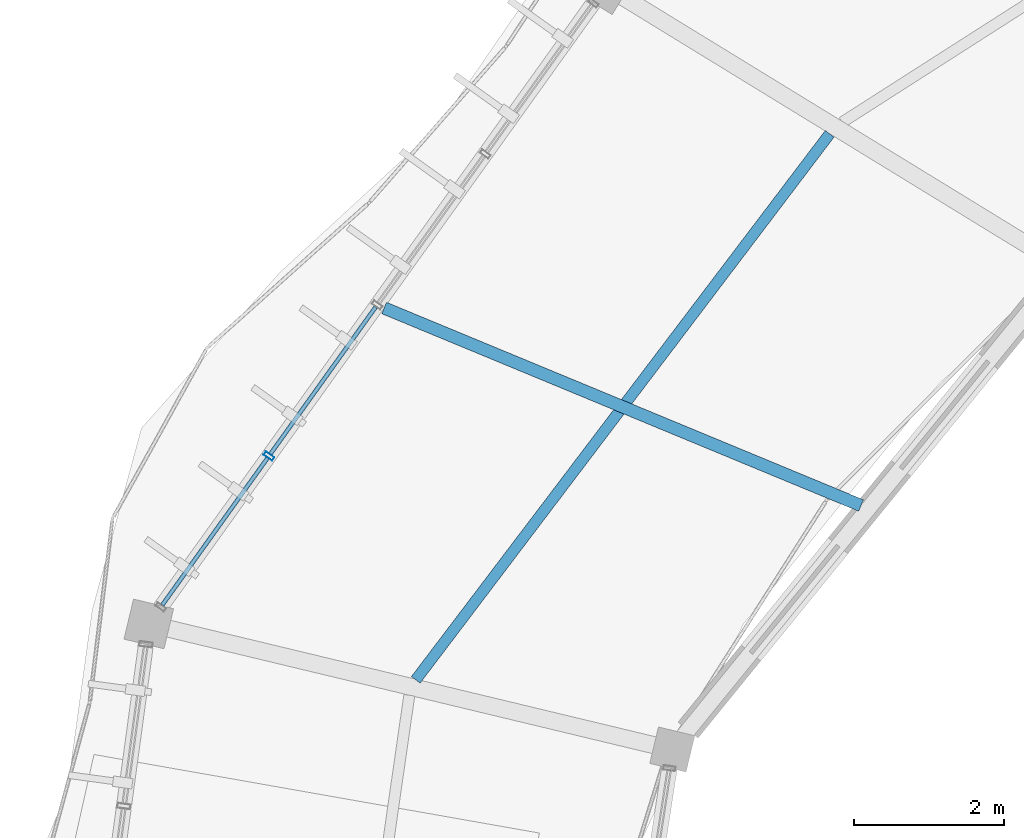
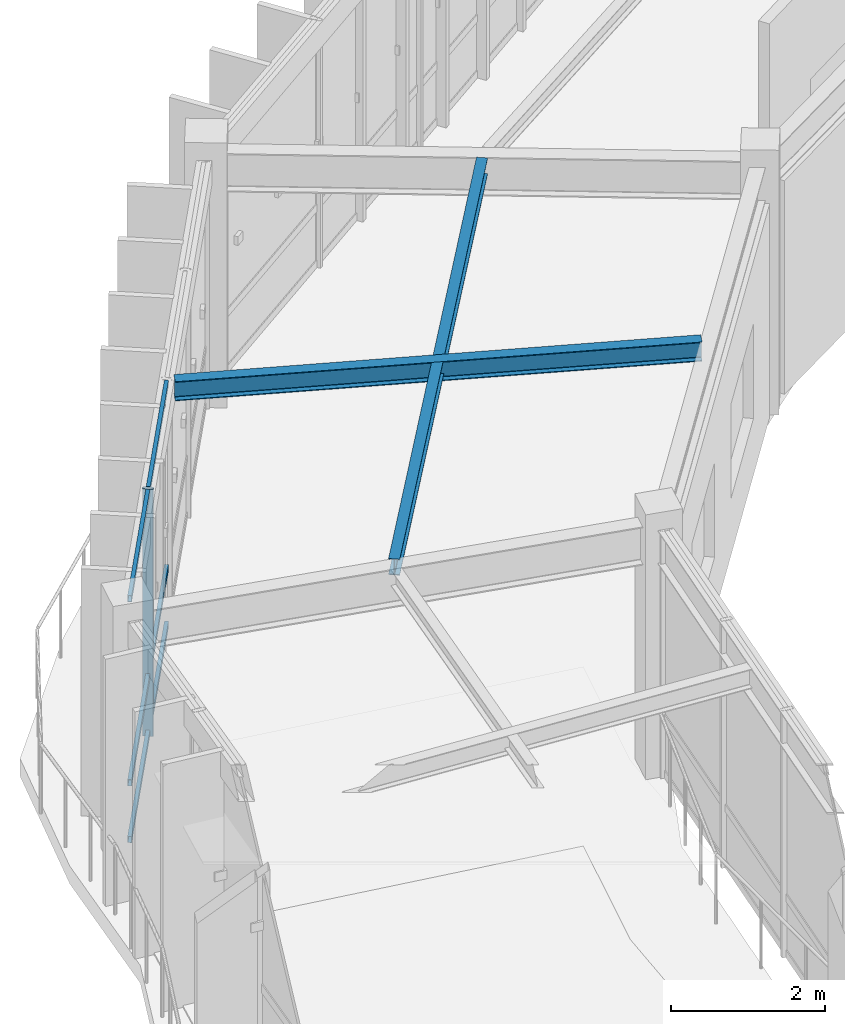
# One storey, part 23 of 79: 7 members, 2 beams, 1 element without a shape of its own.
"""IFC4 building model written with IfcOpenShell, lengths in metres."""

from ifc_helpers import new_model, si_unit, direction, frame, origin, origin_2d, place, context, subcontext, project, spatial, hollow_rectangle, i_section, extrude, material, material_profile, profile_set, type_object, element, aggregate, save


model = new_model("IFC4")

# Units and contexts
model_context = context("Model", 3, precision=1e-05, world=origin(), true_north=direction((0.0, 1.0)))
body_context = subcontext(model_context, "Body", "Model", "MODEL_VIEW")
ifc_project = project(units=[si_unit("LENGTHUNIT", "METRE"), si_unit("AREAUNIT", "SQUARE_METRE"), si_unit("VOLUMEUNIT", "CUBIC_METRE"), si_unit("PLANEANGLEUNIT", "RADIAN"), si_unit("MASSUNIT", "GRAM", prefix="KILO"), si_unit("THERMODYNAMICTEMPERATUREUNIT", "KELVIN"), si_unit("POWERUNIT", "WATT")], contexts=[model_context])

# Site, building, storey
site_placement = place(None, origin())
site = spatial("IfcSite", under=ifc_project, at=site_placement, CompositionType="ELEMENT")
building_placement = place(site_placement, origin())
building = spatial("IfcBuilding", under=site, at=building_placement, Name="Darbajah Civic Hall", CompositionType="ELEMENT")
storey_placement = place(building_placement, frame((0.0, 0.0, 22.199951171875)))
storey = spatial("IfcBuildingStorey", under=building, at=storey_placement, Name="L05", CompositionType="ELEMENT", Elevation=22.199951171875)

# Curtain wall, members
ifc_material_1 = material(Name="Anodised Bronze Aluminium and Low-E Glazing", Category="aluminium")
curtain_wall_type = type_object("IfcCurtainWallType", Name="Unitised Curtain Wall CW-68 9900x3900", PredefinedType="USERDEFINED", material=ifc_material_1)
curtain_wall_placement = place(storey_placement, origin())
curtain_wall = element("IfcCurtainWall", 1, at=curtain_wall_placement, inside=storey, type_object=curtain_wall_type, Name="L05 unitised curtain wall CW-V1O-L05-08", ObjectType="UNITISED CURTAIN WALL", PredefinedType="USERDEFINED")
ifc_material_2 = material(Name="Anodised Bronze Aluminium", Category="aluminium")
ifc_material_profile_1 = material_profile(ifc_material_2, hollow_rectangle(XDim=0.054931640625, YDim=0.139892578125, WallThickness=0.003173828125, at=origin_2d()), Name="ALU MULLION 55x140")
ifc_profile_set_1 = profile_set([ifc_material_profile_1], Name="Anodised Bronze Aluminium")
member_type_1 = type_object("IfcMemberType", Name="ALU MULLION 55x140", PredefinedType="MULLION", material=ifc_profile_set_1)
member_1_placement = place(storey_placement, frame((41.1162109375, 98.930908203125, 0.0), z_axis=(0.0, 0.0, 1.0), x_axis=(-0.582264874145, -0.812999149039, 0.0)))
member_1 = element("IfcMember", 2, at=member_1_placement, type_object=member_type_1, Name="CW-V1O-L05-08 mullion 4", PredefinedType="MULLION", context=body_context, shape_type="SweptSolid", body=[
    extrude(hollow_rectangle(XDim=0.054931640625, YDim=0.139892578125, WallThickness=0.003173828125, at=origin_2d()), origin(), (0.0, 0.0, 1.0), 3.920166015625),
])
ifc_material_profile_2 = material_profile(ifc_material_2, hollow_rectangle(XDim=0.054931640625, YDim=0.10009765625, WallThickness=0.0029296875, at=origin_2d()), Name="ALU TRANSOM 55x100")
ifc_profile_set_2 = profile_set([ifc_material_profile_2], Name="Anodised Bronze Aluminium")
member_type_2 = type_object("IfcMemberType", Name="ALU TRANSOM 55x100", PredefinedType="USERDEFINED", material=ifc_profile_set_2)
member_2_placement = place(storey_placement, frame((42.543212890625, 100.923583984375, 0.050048828125), z_axis=(-0.582230979755, -0.813023422918, 0.0), x_axis=(0.813023422918, -0.582230979755, 0.0)))
member_2 = element("IfcMember", 3, at=member_2_placement, type_object=member_type_2, Name="CW-V1O-L05-08 transom 3.1", ObjectType="TRANSOM", PredefinedType="USERDEFINED", context=body_context, shape_type="SweptSolid", body=[
    extrude(hollow_rectangle(XDim=0.054931640625, YDim=0.10009765625, WallThickness=0.0029296875, at=origin_2d()), origin(), (0.0, 0.0, 1.0), 2.418212890625),
])
member_3_placement = place(storey_placement, frame((42.543212890625, 100.923583984375, 0.949951171875), z_axis=(-0.582230979755, -0.813023422918, 0.0), x_axis=(0.813023422918, -0.582230979755, 0.0)))
member_3 = element("IfcMember", 4, at=member_3_placement, type_object=member_type_2, Name="CW-V1O-L05-08 transom 3.2", ObjectType="TRANSOM", PredefinedType="USERDEFINED", context=body_context, shape_type="SweptSolid", body=[
    extrude(hollow_rectangle(XDim=0.054931640625, YDim=0.10009765625, WallThickness=0.0029296875, at=origin_2d()), origin(), (0.0, 0.0, 1.0), 2.418212890625),
])
member_4_placement = place(storey_placement, frame((42.543212890625, 100.923583984375, 3.8701171875), z_axis=(-0.582230979755, -0.813023422918, 0.0), x_axis=(0.813023422918, -0.582230979755, 0.0)))
member_4 = element("IfcMember", 5, at=member_4_placement, type_object=member_type_2, Name="CW-V1O-L05-08 transom 3.3", ObjectType="TRANSOM", PredefinedType="USERDEFINED", context=body_context, shape_type="SweptSolid", body=[
    extrude(hollow_rectangle(XDim=0.054931640625, YDim=0.10009765625, WallThickness=0.0029296875, at=origin_2d()), origin(), (0.0, 0.0, 1.0), 2.418212890625),
])
member_5_placement = place(storey_placement, frame((41.097412109375, 98.904541015625, 0.050048828125), z_axis=(-0.582249920856, -0.813009858282, 0.0), x_axis=(0.813009858282, -0.582249920856, 0.0)))
member_5 = element("IfcMember", 6, at=member_5_placement, type_object=member_type_2, Name="CW-V1O-L05-08 transom 4.1", ObjectType="TRANSOM", PredefinedType="USERDEFINED", context=body_context, shape_type="SweptSolid", body=[
    extrude(hollow_rectangle(XDim=0.054931640625, YDim=0.10009765625, WallThickness=0.0029296875, at=origin_2d()), origin(), (0.0, 0.0, 1.0), 2.41845703125),
])
member_6_placement = place(storey_placement, frame((41.097412109375, 98.904541015625, 0.949951171875), z_axis=(-0.582249920856, -0.813009858282, 0.0), x_axis=(0.813009858282, -0.582249920856, 0.0)))
member_6 = element("IfcMember", 7, at=member_6_placement, type_object=member_type_2, Name="CW-V1O-L05-08 transom 4.2", ObjectType="TRANSOM", PredefinedType="USERDEFINED", context=body_context, shape_type="SweptSolid", body=[
    extrude(hollow_rectangle(XDim=0.054931640625, YDim=0.10009765625, WallThickness=0.0029296875, at=origin_2d()), origin(), (0.0, 0.0, 1.0), 2.41845703125),
])
member_7_placement = place(storey_placement, frame((41.097412109375, 98.904541015625, 3.8701171875), z_axis=(-0.582249920856, -0.813009858282, 0.0), x_axis=(0.813009858282, -0.582249920856, 0.0)))
member_7 = element("IfcMember", 8, at=member_7_placement, type_object=member_type_2, Name="CW-V1O-L05-08 transom 4.3", ObjectType="TRANSOM", PredefinedType="USERDEFINED", context=body_context, shape_type="SweptSolid", body=[
    extrude(hollow_rectangle(XDim=0.054931640625, YDim=0.10009765625, WallThickness=0.0029296875, at=origin_2d()), origin(), (0.0, 0.0, 1.0), 2.41845703125),
])
aggregate(curtain_wall, [member_1, member_2, member_3, member_4, member_5, member_6, member_7])

# Beams
ifc_material_3 = material(Name="Steel S355JR", Category="steel")
ifc_material_profile_3 = material_profile(ifc_material_3, i_section(OverallWidth=0.146484375, OverallDepth=0.256103515625, WebThickness=0.00634765625, FlangeThickness=0.010986328125, FilletRadius=0.007568359375, at=origin_2d()), Name="UB 254x146x37")
ifc_profile_set_3 = profile_set([ifc_material_profile_3], Name="Steel S355JR")
beam_type_1 = type_object("IfcBeamType", Name="UB 254x146x37", PredefinedType="JOIST", material=ifc_profile_set_3)
beam_1_placement = place(storey_placement, frame((48.61474609375, 103.240234375, 3.7919921875), z_axis=(-0.604114678665, -0.796897393032, 0.0), x_axis=(0.796897393032, -0.604114678665, 0.0)))
element("IfcBeam", 9, at=beam_1_placement, inside=storey, type_object=beam_type_1, Name="L05 beam SJ-254", PredefinedType="JOIST", context=body_context, shape_type="SweptSolid", body=[
    extrude(i_section(OverallWidth=0.146484375, OverallDepth=0.256103515625, WebThickness=0.00634765625, FlangeThickness=0.010986328125, FilletRadius=0.007568359375, at=origin_2d()), origin(), (0.0, 0.0, 1.0), 9.162353515625),
])
ifc_material_profile_4 = material_profile(ifc_material_3, i_section(OverallWidth=0.165771484375, OverallDepth=0.306640625, WebThickness=0.006591796875, FlangeThickness=0.01171875, FilletRadius=0.0087890625, at=origin_2d()), Name="UB 305x165x46")
ifc_profile_set_4 = profile_set([ifc_material_profile_4], Name="Steel S355JR")
beam_type_2 = type_object("IfcBeamType", Name="UB 305x165x46", PredefinedType="JOIST", material=ifc_profile_set_4)
beam_2_placement = place(storey_placement, frame((49.034423828125, 98.269287109375, 3.766845703125), z_axis=(-0.923878471007, 0.382685995053, 0.0), x_axis=(-0.382685995053, -0.923878471007, 0.0)))
element("IfcBeam", 10, at=beam_2_placement, inside=storey, type_object=beam_type_2, Name="L05 beam SJ-305", PredefinedType="JOIST", context=body_context, shape_type="SweptSolid", body=[
    extrude(i_section(OverallWidth=0.165771484375, OverallDepth=0.306640625, WebThickness=0.006591796875, FlangeThickness=0.01171875, FilletRadius=0.0087890625, at=origin_2d()), origin(), (0.0, 0.0, 1.0), 6.9033203125),
])

save(model, "model.ifc")
